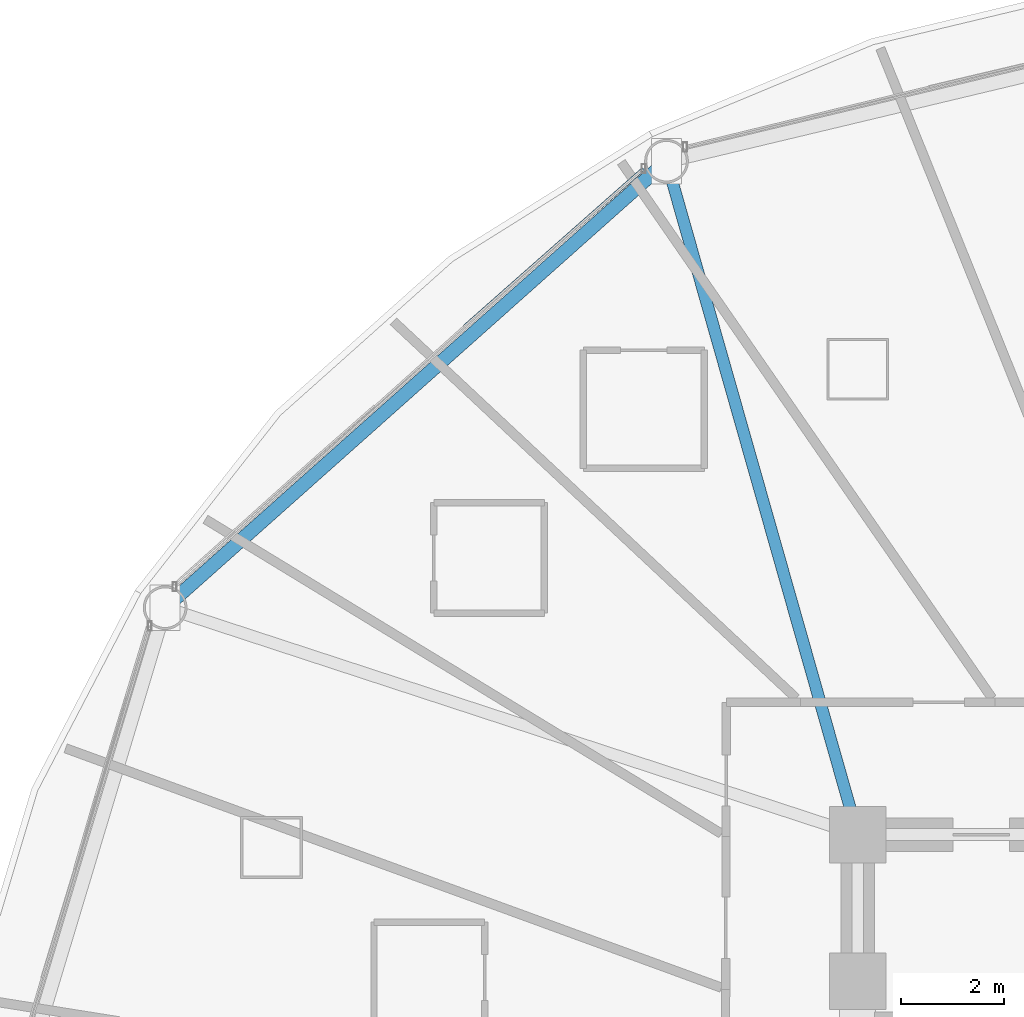
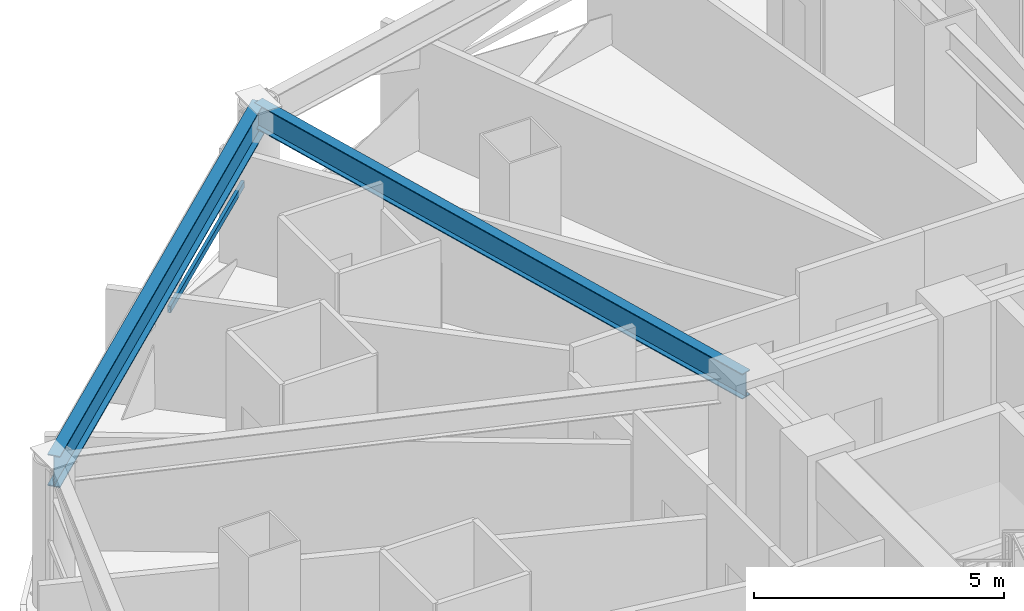
# One storey, part 16 of 32: 2 beams, 1 member, 1 element without a shape of its own.
"""IFC4 building model written with IfcOpenShell, lengths in metres."""

from ifc_helpers import new_model, si_unit, direction, frame, origin, origin_2d, place, context, subcontext, project, spatial, hollow_rectangle, i_section, extrude, material, layer, layer_set, material_profile, profile_set, type_object, element, aggregate, save


model = new_model("IFC4")

# Units and contexts
model_context = context("Model", 3, precision=1e-05, world=origin(), true_north=direction((0.0, 1.0)))
body_context = subcontext(model_context, "Body", "Model", "MODEL_VIEW")
ifc_project = project(units=[si_unit("LENGTHUNIT", "METRE"), si_unit("AREAUNIT", "SQUARE_METRE"), si_unit("VOLUMEUNIT", "CUBIC_METRE"), si_unit("PLANEANGLEUNIT", "RADIAN"), si_unit("MASSUNIT", "GRAM", prefix="KILO")], contexts=[model_context])

# Site, building, storey
site_placement = place(None, origin())
site = spatial("IfcSite", under=ifc_project, at=site_placement, CompositionType="ELEMENT")
building_placement = place(site_placement, origin())
building = spatial("IfcBuilding", under=site, at=building_placement, Name="Vantalir Tower", CompositionType="ELEMENT")
storey_placement = place(building_placement, frame((0.0, 0.0, 45.75)))
storey = spatial("IfcBuildingStorey", under=building, at=storey_placement, Name="L10", CompositionType="ELEMENT", Elevation=45.75)

# Beams
ifc_material_1 = material(Name="Steel S355", Category="steel")
ifc_material_profile_1 = material_profile(ifc_material_1, i_section(OverallWidth=0.22998046875, OverallDepth=0.616943359375, WebThickness=0.01318359375, FlangeThickness=0.022216796875, at=origin_2d()), Name="Steel S355")
ifc_profile_set_1 = profile_set([ifc_material_profile_1], Name="Steel S355")
beam_type_1 = type_object("IfcBeamType", Name="BM-RB-610x229", PredefinedType="BEAM", material=ifc_profile_set_1)
beam_1_placement = place(storey_placement, frame((18.180908203125, 45.547119140625, 3.261962890625), z_axis=(0.273155282816, -0.961969953517, 0.0), x_axis=(0.961969953517, 0.273155282816, 0.0)))
element("IfcBeam", 1, at=beam_1_placement, inside=storey, type_object=beam_type_1, Name="L10 Radial Floor Beam 05", PredefinedType="BEAM", context=body_context, shape_type="SweptSolid", body=[
    extrude(i_section(OverallWidth=0.22998046875, OverallDepth=0.616943359375, WebThickness=0.01318359375, FlangeThickness=0.022216796875, at=origin_2d()), origin(), (0.0, 0.0, 1.0), 13.614990234375),
])
ifc_material_2 = material(Name="Steel S460", Category="steel")
ifc_material_profile_2 = material_profile(ifc_material_2, i_section(OverallWidth=0.26806640625, OverallDepth=0.77001953125, WebThickness=0.015625, FlangeThickness=0.025390625, at=origin_2d()), Name="Steel S460")
ifc_profile_set_2 = profile_set([ifc_material_profile_2], Name="Steel S460")
beam_type_2 = type_object("IfcBeamType", Name="BM-RG-762x267", PredefinedType="USERDEFINED", material=ifc_profile_set_2)
beam_2_placement = place(storey_placement, frame((18.180908203125, 45.547119140625, 3.18505859375), z_axis=(-0.746779714513, -0.665071468334, 0.0), x_axis=(0.665071468334, -0.746779714513, 0.0)))
element("IfcBeam", 2, at=beam_2_placement, inside=storey, type_object=beam_type_2, Name="L10 Circumferential Ring Girder 05", ObjectType="GIRDER", PredefinedType="USERDEFINED", context=body_context, shape_type="SweptSolid", body=[
    extrude(i_section(OverallWidth=0.26806640625, OverallDepth=0.77001953125, WebThickness=0.015625, FlangeThickness=0.025390625, at=origin_2d()), origin(), (0.0, 0.0, 1.0), 13.057373046875),
])

# Curtain wall, member
ifc_material_3 = material(Name="Champagne-silver PVDF aluminium and double-silver Low-E glass", Category="aluminium")
ifc_layer = layer(ifc_material_3, 0.18994140625)
ifc_layer_set = layer_set([ifc_layer], Name="Champagne-silver PVDF aluminium and double-silver Low-E glass")
curtain_wall_type = type_object("IfcCurtainWallType", Name="CW-DIAMOND-Z1", PredefinedType="USERDEFINED", material=ifc_layer_set)
curtain_wall_placement = place(storey_placement, origin())
curtain_wall = element("IfcCurtainWall", 3, at=curtain_wall_placement, inside=storey, type_object=curtain_wall_type, Name="L10 Quilted Pyramid-Diamond Curtain Wall S05", ObjectType="UNITISED CURTAIN WALL", PredefinedType="USERDEFINED")
ifc_material_4 = material(Name="Champagne-silver PVDF aluminium 6063-T6", Category="aluminium")
ifc_material_profile_3 = material_profile(ifc_material_4, hollow_rectangle(XDim=0.074951171875, YDim=0.159912109375, WallThickness=0.00390625, at=origin_2d()), Name="Champagne-silver PVDF aluminium 6063-T6")
ifc_profile_set_3 = profile_set([ifc_material_profile_3], Name="Champagne-silver PVDF aluminium 6063-T6")
member_type = type_object("IfcMemberType", Name="CWT-160x75", PredefinedType="USERDEFINED", material=ifc_profile_set_3)
member_placement = place(storey_placement, frame((17.735107421875, 45.39892578125, 1.784912109375), z_axis=(-0.74989001978, -0.661562512718, 0.0), x_axis=(0.661562512718, -0.74989001978, 0.0)))
member = element("IfcMember", 4, at=member_placement, type_object=member_type, Name="CW-L10-S05 Pyramid Fold Ridge Transom", ObjectType="TRANSOM", PredefinedType="USERDEFINED", context=body_context, shape_type="SweptSolid", body=[
    extrude(hollow_rectangle(XDim=0.074951171875, YDim=0.159912109375, WallThickness=0.00390625, at=origin_2d()), origin(), (0.0, 0.0, 1.0), 4.6435546875),
])
aggregate(curtain_wall, [member])

save(model, "model.ifc")
